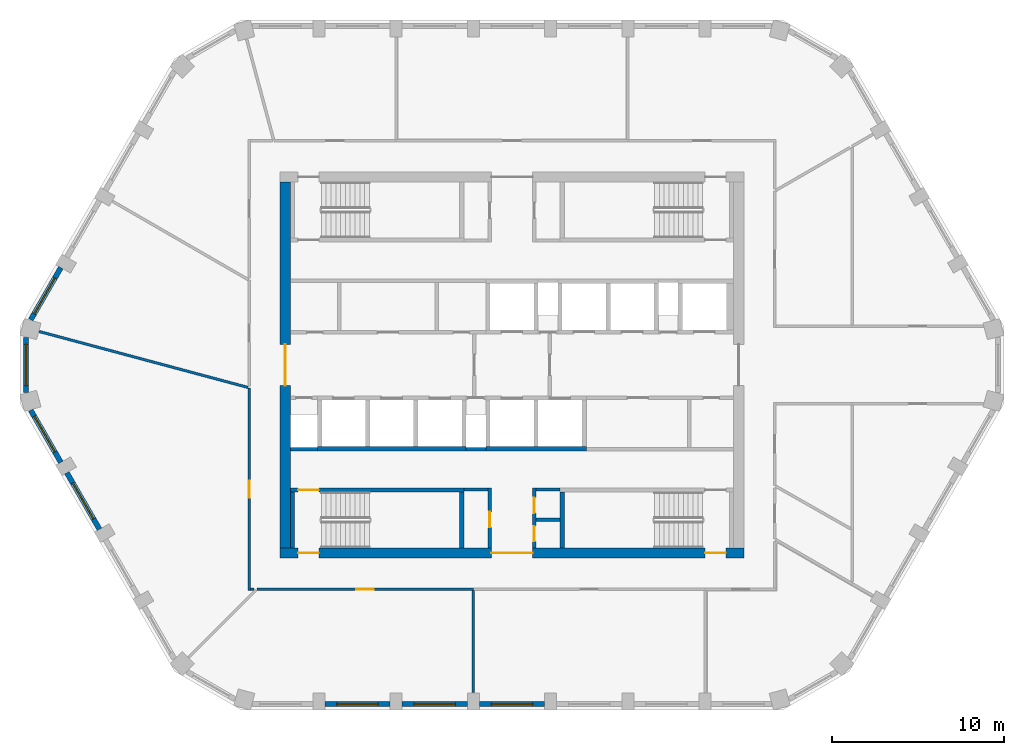
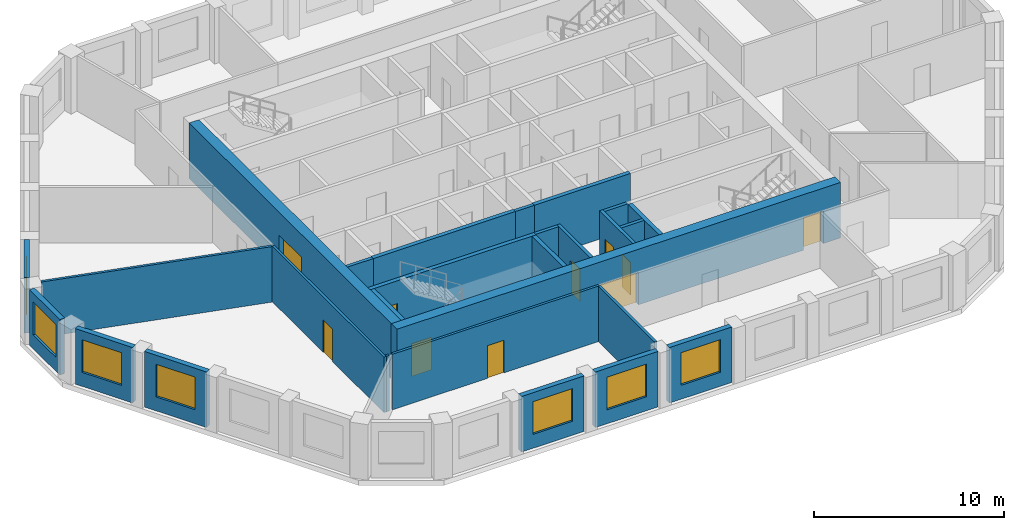
# One storey, part 2 of 10: 27 walls, 10 doors, 7 windows, 17 openings.
"""IFC4 building model written with IfcOpenShell, lengths in metres."""

from ifc_helpers import new_model, si_unit, direction, frame, frame_2d, origin, place, context, subcontext, project, spatial, polyline, rectangle, outline, extrude, material, layer, layer_set, type_object, element, fill, save


model = new_model("IFC4")

# Units and contexts
model_context = context("Model", 3, precision=1e-05, world=origin(), true_north=direction((0.0, 1.0)))
body_context = subcontext(model_context, "Body", "Model", "MODEL_VIEW")
ifc_project = project(units=[si_unit("LENGTHUNIT", "METRE"), si_unit("AREAUNIT", "SQUARE_METRE"), si_unit("VOLUMEUNIT", "CUBIC_METRE"), si_unit("PLANEANGLEUNIT", "RADIAN"), si_unit("MASSUNIT", "GRAM", prefix="KILO")], contexts=[model_context])

# Site, building, storey
site_placement = place(None, origin())
site = spatial("IfcSite", under=ifc_project, at=site_placement, CompositionType="ELEMENT")
building_placement = place(site_placement, origin())
building = spatial("IfcBuilding", under=site, at=building_placement, Name="Dhurran Vertical Campus", CompositionType="ELEMENT")
storey_placement = place(building_placement, frame((0.0, 0.0, 250.800048828125)))
storey = spatial("IfcBuildingStorey", under=building, at=storey_placement, Name="L62", CompositionType="ELEMENT", Elevation=250.800048828125)

# Wall, opening, window
ifc_material_1 = material(Name="Precast concrete C50/60", Category="concrete")
ifc_layer_1 = layer(ifc_material_1, 0.300048828125)
ifc_layer_set_1 = layer_set([ifc_layer_1], Name="Precast concrete C50/60")
wall_type_1 = type_object("IfcWallType", Name="Precast spandrel wall 300", PredefinedType="SOLIDWALL", material=ifc_layer_set_1)
wall_1_placement = place(storey_placement, frame((-10.8994140625, -19.738525390625, 0.0), z_axis=(0.0, 0.0, 1.0), x_axis=(1.0, 0.0, 0.0)))
wall_1 = element("IfcWall", 1, at=wall_1_placement, inside=storey, type_object=wall_type_1, Name="EW1 L62.01", PredefinedType="SOLIDWALL", context=body_context, shape_type="SweptSolid", body=[
    extrude(rectangle(XDim=3.798828125, YDim=0.300048828125, at=frame_2d((1.8994140625, 0.0))), origin(), (0.0, 0.0, 1.0), 3.574951171875),
])
opening_1_placement = place(wall_1_placement, frame((0.699462890625, 0.0, 0.89990234375)))
opening_1 = element("IfcOpeningElement", 2, at=opening_1_placement, cuts=wall_1, Name="Opening WT1", PredefinedType="OPENING", context=body_context, shape_type="SweptSolid", body=[
    extrude(rectangle(XDim=2.39990234375, YDim=2.10009765625, at=frame_2d((1.199951171875, 1.050048828125))), frame((0.0, 0.159912109375, 0.0), z_axis=(0.0, -1.0, 0.0), x_axis=(1.0, 0.0, 0.0)), (0.0, 0.0, 1.0), 0.320068359375),
])
ifc_material_2 = material(Name="Aluminium frame with solar-control glass", Category="aluminium")
window_type = type_object("IfcWindowType", Name="Punched window 2400 x 2100", PartitioningType="SINGLE_PANEL", PredefinedType="WINDOW", material=ifc_material_2)
window_1_placement = place(opening_1_placement, origin())
window_1 = element("IfcWindow", 3, at=window_1_placement, inside=storey, type_object=window_type, Name="WT1 L62.01", OverallHeight=2.10009765625, OverallWidth=2.39990234375, PartitioningType="SINGLE_PANEL", PredefinedType="WINDOW", context=body_context, shape_type="SweptSolid", body=[
    extrude(rectangle(XDim=2.39990234375, YDim=2.10009765625, at=frame_2d((1.199951171875, 1.050048828125))), frame((0.0, 0.030029296875, 0.0), z_axis=(0.0, -1.0, 0.0), x_axis=(1.0, 0.0, 0.0)), (0.0, 0.0, 1.0), 0.06005859375),
])
fill(opening_1, window_1)

wall_2_placement = place(storey_placement, frame((-6.3994140625, -19.738525390625, 0.0), z_axis=(0.0, 0.0, 1.0), x_axis=(1.0, 0.0, 0.0)))
wall_2 = element("IfcWall", 4, at=wall_2_placement, inside=storey, type_object=wall_type_1, Name="EW1 L62.02", PredefinedType="SOLIDWALL", context=body_context, shape_type="SweptSolid", body=[
    extrude(rectangle(XDim=3.798828125, YDim=0.300048828125, at=frame_2d((1.8994140625, 0.0))), origin(), (0.0, 0.0, 1.0), 3.574951171875),
])
opening_2_placement = place(wall_2_placement, frame((0.699462890625, 0.0, 0.89990234375)))
opening_2 = element("IfcOpeningElement", 5, at=opening_2_placement, cuts=wall_2, Name="Opening WT1", PredefinedType="OPENING", context=body_context, shape_type="SweptSolid", body=[
    extrude(rectangle(XDim=2.39990234375, YDim=2.10009765625, at=frame_2d((1.199951171875, 1.050048828125))), frame((0.0, 0.159912109375, 0.0), z_axis=(0.0, -1.0, 0.0), x_axis=(1.0, 0.0, 0.0)), (0.0, 0.0, 1.0), 0.320068359375),
])
window_2_placement = place(opening_2_placement, origin())
window_2 = element("IfcWindow", 6, at=window_2_placement, inside=storey, type_object=window_type, Name="WT1 L62.02", OverallHeight=2.10009765625, OverallWidth=2.39990234375, PartitioningType="SINGLE_PANEL", PredefinedType="WINDOW", context=body_context, shape_type="SweptSolid", body=[
    extrude(rectangle(XDim=2.39990234375, YDim=2.10009765625, at=frame_2d((1.199951171875, 1.050048828125))), frame((0.0, 0.030029296875, 0.0), z_axis=(0.0, -1.0, 0.0), x_axis=(1.0, 0.0, 0.0)), (0.0, 0.0, 1.0), 0.06005859375),
])
fill(opening_2, window_2)

wall_3_placement = place(storey_placement, frame((-1.8994140625, -19.738525390625, 0.0), z_axis=(0.0, 0.0, 1.0), x_axis=(1.0, 0.0, 0.0)))
wall_3 = element("IfcWall", 7, at=wall_3_placement, inside=storey, type_object=wall_type_1, Name="EW1 L62.03", PredefinedType="SOLIDWALL", context=body_context, shape_type="SweptSolid", body=[
    extrude(rectangle(XDim=3.798828125, YDim=0.300048828125, at=frame_2d((1.8994140625, 0.0))), origin(), (0.0, 0.0, 1.0), 3.574951171875),
])
opening_3_placement = place(wall_3_placement, frame((0.699462890625, 0.0, 0.89990234375)))
opening_3 = element("IfcOpeningElement", 8, at=opening_3_placement, cuts=wall_3, Name="Opening WT1", PredefinedType="OPENING", context=body_context, shape_type="SweptSolid", body=[
    extrude(rectangle(XDim=2.39990234375, YDim=2.10009765625, at=frame_2d((1.199951171875, 1.050048828125))), frame((0.0, 0.159912109375, 0.0), z_axis=(0.0, -1.0, 0.0), x_axis=(1.0, 0.0, 0.0)), (0.0, 0.0, 1.0), 0.320068359375),
])
window_3_placement = place(opening_3_placement, origin())
window_3 = element("IfcWindow", 9, at=window_3_placement, inside=storey, type_object=window_type, Name="WT1 L62.03", OverallHeight=2.10009765625, OverallWidth=2.39990234375, PartitioningType="SINGLE_PANEL", PredefinedType="WINDOW", context=body_context, shape_type="SweptSolid", body=[
    extrude(rectangle(XDim=2.39990234375, YDim=2.10009765625, at=frame_2d((1.199951171875, 1.050048828125))), frame((0.0, 0.030029296875, 0.0), z_axis=(0.0, -1.0, 0.0), x_axis=(1.0, 0.0, 0.0)), (0.0, 0.0, 1.0), 0.06005859375),
])
fill(opening_3, window_3)

wall_4_placement = place(storey_placement, frame((-26.269287109375, 5.668701171875, 0.0), z_axis=(0.0, 0.0, 1.0), x_axis=(-0.499990325971, -0.866030989016, 0.0)))
wall_4 = element("IfcWall", 10, at=wall_4_placement, inside=storey, type_object=wall_type_1, Name="EW1 L62.29", PredefinedType="SOLIDWALL", context=body_context, shape_type="SweptSolid", body=[
    extrude(rectangle(XDim=3.49755859375, YDim=0.300048828125, at=frame_2d((1.748779296875, 0.0))), origin(), (0.0, 0.0, 1.0), 3.574951171875),
])
opening_4_placement = place(wall_4_placement, frame((0.699462890625, 0.0, 0.89990234375)))
opening_4 = element("IfcOpeningElement", 11, at=opening_4_placement, cuts=wall_4, Name="Opening WT1", PredefinedType="OPENING", context=body_context, shape_type="SweptSolid", body=[
    extrude(rectangle(XDim=2.39990234375, YDim=2.10009765625, at=frame_2d((1.199951171875, 1.050048828125))), frame((0.0, 0.159912109375, 0.0), z_axis=(0.0, -1.0, 0.0), x_axis=(1.0, 0.0, 0.0)), (0.0, 0.0, 1.0), 0.320068359375),
])
window_4_placement = place(opening_4_placement, origin())
window_4 = element("IfcWindow", 12, at=window_4_placement, inside=storey, type_object=window_type, Name="WT1 L62.29", OverallHeight=2.10009765625, OverallWidth=2.39990234375, PartitioningType="SINGLE_PANEL", PredefinedType="WINDOW", context=body_context, shape_type="SweptSolid", body=[
    extrude(rectangle(XDim=2.39990234375, YDim=2.10009765625, at=frame_2d((1.199951171875, 1.050048828125))), frame((0.0, 0.030029296875, 0.0), z_axis=(0.0, -1.0, 0.0), x_axis=(1.0, 0.0, 0.0)), (0.0, 0.0, 1.0), 0.06005859375),
])
fill(opening_4, window_4)

wall_5_placement = place(storey_placement, frame((-28.297119140625, 1.59814453125, 0.0), z_axis=(0.0, 0.0, 1.0), x_axis=(0.0, -1.0, 0.0)))
wall_5 = element("IfcWall", 13, at=wall_5_placement, inside=storey, type_object=wall_type_1, Name="EW1 L62.30", PredefinedType="SOLIDWALL", context=body_context, shape_type="SweptSolid", body=[
    extrude(rectangle(XDim=3.1962890625, YDim=0.300048828125, at=frame_2d((1.59814453125, 0.0))), origin(), (0.0, 0.0, 1.0), 3.574951171875),
])
opening_5_placement = place(wall_5_placement, frame((0.398193359375, 0.0, 0.89990234375)))
opening_5 = element("IfcOpeningElement", 14, at=opening_5_placement, cuts=wall_5, Name="Opening WT1", PredefinedType="OPENING", context=body_context, shape_type="SweptSolid", body=[
    extrude(rectangle(XDim=2.39990234375, YDim=2.10009765625, at=frame_2d((1.199951171875, 1.050048828125))), frame((0.0, 0.159912109375, 0.0), z_axis=(0.0, -1.0, 0.0), x_axis=(1.0, 0.0, 0.0)), (0.0, 0.0, 1.0), 0.320068359375),
])
window_5_placement = place(opening_5_placement, origin())
window_5 = element("IfcWindow", 15, at=window_5_placement, inside=storey, type_object=window_type, Name="WT1 L62.30", OverallHeight=2.10009765625, OverallWidth=2.39990234375, PartitioningType="SINGLE_PANEL", PredefinedType="WINDOW", context=body_context, shape_type="SweptSolid", body=[
    extrude(rectangle(XDim=2.39990234375, YDim=2.10009765625, at=frame_2d((1.199951171875, 1.050048828125))), frame((0.0, 0.030029296875, 0.0), z_axis=(0.0, -1.0, 0.0), x_axis=(1.0, 0.0, 0.0)), (0.0, 0.0, 1.0), 0.06005859375),
])
fill(opening_5, window_5)

wall_6_placement = place(storey_placement, frame((-28.01806640625, -2.6396484375, 0.0), z_axis=(0.0, 0.0, 1.0), x_axis=(0.499990325971, -0.866030989016, 0.0)))
wall_6 = element("IfcWall", 16, at=wall_6_placement, inside=storey, type_object=wall_type_1, Name="EW1 L62.31", PredefinedType="SOLIDWALL", context=body_context, shape_type="SweptSolid", body=[
    extrude(rectangle(XDim=3.49755859375, YDim=0.300048828125, at=frame_2d((1.748779296875, 0.0))), origin(), (0.0, 0.0, 1.0), 3.574951171875),
])
opening_6_placement = place(wall_6_placement, frame((0.398193359375, 0.0, 0.89990234375)))
opening_6 = element("IfcOpeningElement", 17, at=opening_6_placement, cuts=wall_6, Name="Opening WT1", PredefinedType="OPENING", context=body_context, shape_type="SweptSolid", body=[
    extrude(rectangle(XDim=2.39990234375, YDim=2.10009765625, at=frame_2d((1.199951171875, 1.050048828125))), frame((0.0, 0.159912109375, 0.0), z_axis=(0.0, -1.0, 0.0), x_axis=(1.0, 0.0, 0.0)), (0.0, 0.0, 1.0), 0.320068359375),
])
window_6_placement = place(opening_6_placement, origin())
window_6 = element("IfcWindow", 18, at=window_6_placement, inside=storey, type_object=window_type, Name="WT1 L62.31", OverallHeight=2.10009765625, OverallWidth=2.39990234375, PartitioningType="SINGLE_PANEL", PredefinedType="WINDOW", context=body_context, shape_type="SweptSolid", body=[
    extrude(rectangle(XDim=2.39990234375, YDim=2.10009765625, at=frame_2d((1.199951171875, 1.050048828125))), frame((0.0, 0.030029296875, 0.0), z_axis=(0.0, -1.0, 0.0), x_axis=(1.0, 0.0, 0.0)), (0.0, 0.0, 1.0), 0.06005859375),
])
fill(opening_6, window_6)

wall_7_placement = place(storey_placement, frame((-25.918701171875, -6.275634765625, 0.0), z_axis=(0.0, 0.0, 1.0), x_axis=(0.499982058975, -0.866035761792, 0.0)))
wall_7 = element("IfcWall", 19, at=wall_7_placement, inside=storey, type_object=wall_type_1, Name="EW1 L62.32", PredefinedType="SOLIDWALL", context=body_context, shape_type="SweptSolid", body=[
    extrude(rectangle(XDim=3.799072265625, YDim=0.300048828125, at=frame_2d((1.8994140625, 0.0))), origin(), (0.0, 0.0, 1.0), 3.574951171875),
])
opening_7_placement = place(wall_7_placement, frame((0.699462890625, 0.0, 0.89990234375)))
opening_7 = element("IfcOpeningElement", 20, at=opening_7_placement, cuts=wall_7, Name="Opening WT1", PredefinedType="OPENING", context=body_context, shape_type="SweptSolid", body=[
    extrude(rectangle(XDim=2.39990234375, YDim=2.10009765625, at=frame_2d((1.199951171875, 1.050048828125))), frame((0.0, 0.159912109375, 0.0), z_axis=(0.0, -1.0, 0.0), x_axis=(1.0, 0.0, 0.0)), (0.0, 0.0, 1.0), 0.320068359375),
])
window_7_placement = place(opening_7_placement, origin())
window_7 = element("IfcWindow", 21, at=window_7_placement, inside=storey, type_object=window_type, Name="WT1 L62.32", OverallHeight=2.10009765625, OverallWidth=2.39990234375, PartitioningType="SINGLE_PANEL", PredefinedType="WINDOW", context=body_context, shape_type="SweptSolid", body=[
    extrude(rectangle(XDim=2.39990234375, YDim=2.10009765625, at=frame_2d((1.199951171875, 1.050048828125))), frame((0.0, 0.030029296875, 0.0), z_axis=(0.0, -1.0, 0.0), x_axis=(1.0, 0.0, 0.0)), (0.0, 0.0, 1.0), 0.06005859375),
])
fill(opening_7, window_7)

# Wall, openings, doors
ifc_material_3 = material(Name="Concrete C50/60", Category="concrete")
ifc_layer_2 = layer(ifc_material_3, 0.60009765625)
ifc_layer_set_2 = layer_set([ifc_layer_2], Name="Concrete C50/60")
wall_type_2 = type_object("IfcWallType", Name="co-CORE-WALL-C2-600", PredefinedType="SHEAR", material=ifc_layer_set_2)
wall_8_placement = place(storey_placement, frame((-13.5, -10.949951171875, 0.0), z_axis=(0.0, 0.0, 1.0), x_axis=(1.0, 0.0, 0.0)))
wall_8 = element("IfcWall", 22, at=wall_8_placement, inside=storey, type_object=wall_type_2, Name="Core wall S L62", PredefinedType="SHEAR", context=body_context, shape_type="SweptSolid", body=[
    extrude(rectangle(XDim=27.0, YDim=0.60009765625, at=frame_2d((13.5, 0.0))), origin(), (0.0, 0.0, 1.0), 3.574951171875),
])
opening_8_placement = place(wall_8_placement, frame((12.300048828125, 0.0, 0.0)))
opening_8 = element("IfcOpeningElement", 23, at=opening_8_placement, cuts=wall_8, Name="Opening CV2", PredefinedType="OPENING", context=body_context, shape_type="SweptSolid", body=[
    extrude(rectangle(XDim=2.39990234375, YDim=2.10009765625, at=frame_2d((1.199951171875, 1.050048828125))), frame((0.0, 0.31005859375, 0.0), z_axis=(0.0, -1.0, 0.0), x_axis=(1.0, 0.0, 0.0)), (0.0, 0.0, 1.0), 0.6201171875),
])
opening_9_placement = place(wall_8_placement, frame((1.050048828125, 0.0, 0.0)))
opening_9 = element("IfcOpeningElement", 24, at=opening_9_placement, cuts=wall_8, Name="Opening XD3", PredefinedType="OPENING", context=body_context, shape_type="SweptSolid", body=[
    extrude(rectangle(XDim=1.199951171875, YDim=2.10009765625, at=frame_2d((0.60009765625, 1.050048828125))), frame((0.0, 0.31005859375, 0.0), z_axis=(0.0, -1.0, 0.0), x_axis=(1.0, 0.0, 0.0)), (0.0, 0.0, 1.0), 0.6201171875),
])
opening_10_placement = place(wall_8_placement, frame((24.75, 0.0, 0.0)))
opening_10 = element("IfcOpeningElement", 25, at=opening_10_placement, cuts=wall_8, Name="Opening XD4", PredefinedType="OPENING", context=body_context, shape_type="SweptSolid", body=[
    extrude(rectangle(XDim=1.199951171875, YDim=2.10009765625, at=frame_2d((0.60009765625, 1.050048828125))), frame((0.0, 0.31005859375, 0.0), z_axis=(0.0, -1.0, 0.0), x_axis=(1.0, 0.0, 0.0)), (0.0, 0.0, 1.0), 0.6201171875),
])
ifc_material_4 = material(Name="Fire-rated glazed door set")
door_type_1 = type_object("IfcDoorType", Name="co-D-LOBBY 2400x2100", OperationType="DOUBLE_DOOR_DOUBLE_SWING", PredefinedType="DOOR", material=ifc_material_4)
door_1_placement = place(opening_8_placement, origin())
door_1 = element("IfcDoor", 26, at=door_1_placement, inside=storey, type_object=door_type_1, Name="Core vestibule door S L62", OperationType="DOUBLE_DOOR_DOUBLE_SWING", OverallHeight=2.10009765625, OverallWidth=2.39990234375, PredefinedType="DOOR", context=body_context, shape_type="SweptSolid", body=[
    extrude(rectangle(XDim=2.39990234375, YDim=2.10009765625, at=frame_2d((1.199951171875, 1.050048828125))), frame((0.0, 0.02490234375, 0.0), z_axis=(0.0, -1.0, 0.0), x_axis=(1.0, 0.0, 0.0)), (0.0, 0.0, 1.0), 0.050048828125),
])
fill(opening_8, door_1)
ifc_material_5 = material(Name="Fire-rated steel door set", Category="steel")
door_type_2 = type_object("IfcDoorType", Name="co-D-STAIR-EXIT 1200x2100", OperationType="SINGLE_SWING_RIGHT", PredefinedType="DOOR", material=ifc_material_5)
door_2_placement = place(opening_9_placement, origin())
door_2 = element("IfcDoor", 27, at=door_2_placement, inside=storey, type_object=door_type_2, Name="Stair ST3 exit door L62", OperationType="SINGLE_SWING_RIGHT", OverallHeight=2.10009765625, OverallWidth=1.199951171875, PredefinedType="DOOR", context=body_context, shape_type="SweptSolid", body=[
    extrude(rectangle(XDim=1.199951171875, YDim=2.10009765625, at=frame_2d((0.60009765625, 1.050048828125))), frame((0.0, 0.02490234375, 0.0), z_axis=(0.0, -1.0, 0.0), x_axis=(1.0, 0.0, 0.0)), (0.0, 0.0, 1.0), 0.050048828125),
])
fill(opening_9, door_2)
door_3_placement = place(opening_10_placement, origin())
door_3 = element("IfcDoor", 28, at=door_3_placement, inside=storey, type_object=door_type_2, Name="Stair ST4 exit door L62", OperationType="SINGLE_SWING_RIGHT", OverallHeight=2.10009765625, OverallWidth=1.199951171875, PredefinedType="DOOR", context=body_context, shape_type="SweptSolid", body=[
    extrude(rectangle(XDim=1.199951171875, YDim=2.10009765625, at=frame_2d((0.60009765625, 1.050048828125))), frame((0.0, 0.02490234375, 0.0), z_axis=(0.0, -1.0, 0.0), x_axis=(1.0, 0.0, 0.0)), (0.0, 0.0, 1.0), 0.050048828125),
])
fill(opening_10, door_3)

# Wall, opening, door
wall_9_placement = place(storey_placement, frame((-13.199951171875, -10.64990234375, 0.0), z_axis=(0.0, 0.0, 1.0), x_axis=(0.0, 1.0, 0.0)))
wall_9 = element("IfcWall", 29, at=wall_9_placement, inside=storey, type_object=wall_type_2, Name="Core wall W L62", PredefinedType="SHEAR", context=body_context, shape_type="SweptSolid", body=[
    extrude(rectangle(XDim=21.2998046875, YDim=0.60009765625, at=frame_2d((10.64990234375, 0.0))), origin(), (0.0, 0.0, 1.0), 3.574951171875),
])
opening_11_placement = place(wall_9_placement, frame((9.449951171875, 0.0, 0.0)))
opening_11 = element("IfcOpeningElement", 30, at=opening_11_placement, cuts=wall_9, Name="Opening CL1", PredefinedType="OPENING", context=body_context, shape_type="SweptSolid", body=[
    extrude(rectangle(XDim=2.39990234375, YDim=2.10009765625, at=frame_2d((1.199951171875, 1.050048828125))), frame((0.0, 0.31005859375, 0.0), z_axis=(0.0, -1.0, 0.0), x_axis=(1.0, 0.0, 0.0)), (0.0, 0.0, 1.0), 0.6201171875),
])
door_4_placement = place(opening_11_placement, origin())
door_4 = element("IfcDoor", 31, at=door_4_placement, inside=storey, type_object=door_type_1, Name="Lift lobby door W L62", OperationType="DOUBLE_DOOR_DOUBLE_SWING", OverallHeight=2.10009765625, OverallWidth=2.39990234375, PredefinedType="DOOR", context=body_context, shape_type="SweptSolid", body=[
    extrude(rectangle(XDim=2.39990234375, YDim=2.10009765625, at=frame_2d((1.199951171875, 1.050048828125))), frame((0.0, 0.02490234375, 0.0), z_axis=(0.0, -1.0, 0.0), x_axis=(1.0, 0.0, 0.0)), (0.0, 0.0, 1.0), 0.050048828125),
])
fill(opening_11, door_4)

# Walls
ifc_material_6 = material(Name="Fire-rated masonry blockwork", Category="masonry")
ifc_layer_3 = layer(ifc_material_6, 0.199951171875)
ifc_layer_set_3 = layer_set([ifc_layer_3], Name="Fire-rated masonry blockwork")
wall_type_3 = type_object("IfcWallType", Name="co-FIRE-PARTITION-200", PredefinedType="PARTITIONING", material=ifc_layer_set_3)
for number, where, z_axis, x_axis, name in (
    (32, (-2.800048828125, -7.25, 0.0), (0.0, 0.0, 1.0), (1.0, 0.0, 0.0), "Core partition sl-SW-S L62"),
    (33, (1.39990234375, -7.25, 0.0), (0.0, 0.0, 1.0), (1.0, 0.0, 0.0), "Core partition sl-SE-S L62"),
    (34, (1.39990234375, -9.0, 0.0), (0.0, 0.0, 1.0), (1.0, 0.0, 0.0), "Core partition sl-SE-cut0 L62"),
):
    element("IfcWall", number, at=place(storey_placement, frame(where, z_axis=z_axis, x_axis=x_axis)), inside=storey, type_object=wall_type_3, Name=name, PredefinedType="PARTITIONING", context=body_context, shape_type="SweptSolid", body=[
        extrude(rectangle(XDim=1.400146484375, YDim=0.199951171875, at=frame_2d((0.7001953125, 0.0))), origin(), (0.0, 0.0, 1.0), 3.574951171875),
    ])

# Wall, opening, door
wall_10_placement = place(storey_placement, frame((-1.300048828125, -10.64990234375, 0.0), z_axis=(0.0, 0.0, 1.0), x_axis=(0.0, 1.0, 0.0)))
wall_10 = element("IfcWall", 35, at=wall_10_placement, inside=storey, type_object=wall_type_3, Name="Core partition vest-SW L62", PredefinedType="PARTITIONING", context=body_context, shape_type="SweptSolid", body=[
    extrude(rectangle(XDim=3.5, YDim=0.199951171875, at=frame_2d((1.75, 0.0))), origin(), (0.0, 0.0, 1.0), 3.574951171875),
])
opening_12_placement = place(wall_10_placement, frame((1.199951171875, 0.0, 0.0)))
opening_12 = element("IfcOpeningElement", 36, at=opening_12_placement, cuts=wall_10, Name="Opening T18-C1", PredefinedType="OPENING", context=body_context, shape_type="SweptSolid", body=[
    extrude(rectangle(XDim=0.89990234375, YDim=2.10009765625, at=frame_2d((0.449951171875, 1.050048828125))), frame((0.0, 0.10986328125, 0.0), z_axis=(0.0, -1.0, 0.0), x_axis=(1.0, 0.0, 0.0)), (0.0, 0.0, 1.0), 0.219970703125),
])
ifc_material_7 = material(Name="Fire-rated timber door set", Category="wood")
door_type_3 = type_object("IfcDoorType", Name="co-D-ROOM 900x2100", OperationType="SINGLE_SWING_LEFT", PredefinedType="DOOR", material=ifc_material_7)
door_5_placement = place(opening_12_placement, origin())
door_5 = element("IfcDoor", 37, at=door_5_placement, inside=storey, type_object=door_type_3, Name="Fire equipment store door L62", OperationType="SINGLE_SWING_LEFT", OverallHeight=2.10009765625, OverallWidth=0.89990234375, PredefinedType="DOOR", context=body_context, shape_type="SweptSolid", body=[
    extrude(rectangle(XDim=0.89990234375, YDim=2.10009765625, at=frame_2d((0.449951171875, 1.050048828125))), frame((0.0, 0.02490234375, 0.0), z_axis=(0.0, -1.0, 0.0), x_axis=(1.0, 0.0, 0.0)), (0.0, 0.0, 1.0), 0.050048828125),
])
fill(opening_12, door_5)

# Wall, openings, doors
wall_11_placement = place(storey_placement, frame((1.300048828125, -10.64990234375, 0.0), z_axis=(0.0, 0.0, 1.0), x_axis=(0.0, 1.0, 0.0)))
wall_11 = element("IfcWall", 38, at=wall_11_placement, inside=storey, type_object=wall_type_3, Name="Core partition vest-SE L62", PredefinedType="PARTITIONING", context=body_context, shape_type="SweptSolid", body=[
    extrude(rectangle(XDim=3.5, YDim=0.199951171875, at=frame_2d((1.75, 0.0))), origin(), (0.0, 0.0, 1.0), 3.574951171875),
])
opening_13_placement = place(wall_11_placement, frame((0.375, 0.0, 0.0)))
opening_13 = element("IfcOpeningElement", 39, at=opening_13_placement, cuts=wall_11, Name="Opening T18-C2", PredefinedType="OPENING", context=body_context, shape_type="SweptSolid", body=[
    extrude(rectangle(XDim=0.89990234375, YDim=2.10009765625, at=frame_2d((0.449951171875, 1.050048828125))), frame((0.0, 0.10986328125, 0.0), z_axis=(0.0, -1.0, 0.0), x_axis=(1.0, 0.0, 0.0)), (0.0, 0.0, 1.0), 0.219970703125),
])
opening_14_placement = place(wall_11_placement, frame((2.02490234375, 0.0, 0.0)))
opening_14 = element("IfcOpeningElement", 40, at=opening_14_placement, cuts=wall_11, Name="Opening T18-C3", PredefinedType="OPENING", context=body_context, shape_type="SweptSolid", body=[
    extrude(rectangle(XDim=0.89990234375, YDim=2.10009765625, at=frame_2d((0.449951171875, 1.050048828125))), frame((0.0, 0.10986328125, 0.0), z_axis=(0.0, -1.0, 0.0), x_axis=(1.0, 0.0, 0.0)), (0.0, 0.0, 1.0), 0.219970703125),
])
door_6_placement = place(opening_13_placement, origin())
door_6 = element("IfcDoor", 41, at=door_6_placement, inside=storey, type_object=door_type_3, Name="Waste room door L62", OperationType="SINGLE_SWING_LEFT", OverallHeight=2.10009765625, OverallWidth=0.89990234375, PredefinedType="DOOR", context=body_context, shape_type="SweptSolid", body=[
    extrude(rectangle(XDim=0.89990234375, YDim=2.10009765625, at=frame_2d((0.449951171875, 1.050048828125))), frame((0.0, 0.02490234375, 0.0), z_axis=(0.0, -1.0, 0.0), x_axis=(1.0, 0.0, 0.0)), (0.0, 0.0, 1.0), 0.050048828125),
])
fill(opening_13, door_6)
door_7_placement = place(opening_14_placement, origin())
door_7 = element("IfcDoor", 42, at=door_7_placement, inside=storey, type_object=door_type_3, Name="Store door L62", OperationType="SINGLE_SWING_LEFT", OverallHeight=2.10009765625, OverallWidth=0.89990234375, PredefinedType="DOOR", context=body_context, shape_type="SweptSolid", body=[
    extrude(rectangle(XDim=0.89990234375, YDim=2.10009765625, at=frame_2d((0.449951171875, 1.050048828125))), frame((0.0, 0.02490234375, 0.0), z_axis=(0.0, -1.0, 0.0), x_axis=(1.0, 0.0, 0.0)), (0.0, 0.0, 1.0), 0.050048828125),
])
fill(opening_14, door_7)

# Walls
wall_12_placement = place(storey_placement, frame((-12.89990234375, -4.89990234375, 0.0), z_axis=(0.0, 0.0, 1.0), x_axis=(1.0, 0.0, 0.0)))
element("IfcWall", 43, at=wall_12_placement, inside=storey, type_object=wall_type_3, Name="Core partition fr-S0-b L62", PredefinedType="PARTITIONING", context=body_context, shape_type="SweptSolid", body=[
    extrude(rectangle(XDim=1.574951171875, YDim=0.199951171875, at=frame_2d((0.78759765625, 0.0))), origin(), (0.0, 0.0, 1.0), 3.574951171875),
])
wall_13_placement = place(storey_placement, frame((-2.675048828125, -4.89990234375, 0.0), z_axis=(0.0, 0.0, 1.0), x_axis=(1.0, 0.0, 0.0)))
element("IfcWall", 44, at=wall_13_placement, inside=storey, type_object=wall_type_3, Name="Core partition fr-S1-b L62", PredefinedType="PARTITIONING", context=body_context, shape_type="SweptSolid", body=[
    extrude(rectangle(XDim=1.150146484375, YDim=0.199951171875, at=frame_2d((0.5751953125, 0.0))), origin(), (0.0, 0.0, 1.0), 3.574951171875),
])
ifc_material_8 = material(Name="Concrete C50/60", Category="concrete")
ifc_layer_4 = layer(ifc_material_8, 0.25)
ifc_layer_set_4 = layer_set([ifc_layer_4], Name="Concrete C50/60")
wall_type_4 = type_object("IfcWallType", Name="co-SHAFT-MASS-250", PredefinedType="SHEAR", material=ifc_layer_set_4)
wall_14_placement = place(storey_placement, origin())
element("IfcWall", 45, at=wall_14_placement, inside=storey, type_object=wall_type_4, Name="Lift shaft wall S L62 1", PredefinedType="SHEAR", context=body_context, shape_type="SweptSolid", body=[
    extrude(outline(polyline([(-11.324951171875, -5.0), (-2.675048828125, -5.0), (-2.675048828125, -4.75), (-11.324951171875, -4.75), (-11.324951171875, -5.0)])), origin(), (0.0, 0.0, 1.0), 3.574951171875),
])
wall_15_placement = place(storey_placement, origin())
element("IfcWall", 46, at=wall_15_placement, inside=storey, type_object=wall_type_4, Name="Lift shaft wall S L62 2", PredefinedType="SHEAR", context=body_context, shape_type="SweptSolid", body=[
    extrude(outline(polyline([(-1.52490234375, -5.0), (4.324951171875, -5.0), (4.324951171875, -4.75), (-1.52490234375, -4.75), (-1.52490234375, -5.0)])), origin(), (0.0, 0.0, 1.0), 3.574951171875),
])

# Wall, opening, door
ifc_material_9 = material(Name="Concrete C40/50", Category="concrete")
ifc_layer_5 = layer(ifc_material_9, 0.25)
ifc_layer_set_5 = layer_set([ifc_layer_5], Name="Concrete C40/50")
wall_type_5 = type_object("IfcWallType", Name="co-STAIR-WALL-250", PredefinedType="SHEAR", material=ifc_layer_set_5)
wall_16_placement = place(storey_placement, frame((-12.89990234375, -7.27490234375, 0.0), z_axis=(0.0, 0.0, 1.0), x_axis=(1.0, 0.0, 0.0)))
wall_16 = element("IfcWall", 47, at=wall_16_placement, inside=storey, type_object=wall_type_5, Name="Stair ST3 enclosure wall L62", PredefinedType="SHEAR", context=body_context, shape_type="SweptSolid", body=[
    extrude(rectangle(XDim=10.099853515625, YDim=0.25, at=frame_2d((5.0498046875, 0.0))), origin(), (0.0, 0.0, 1.0), 3.574951171875),
])
opening_15_placement = place(wall_16_placement, frame((0.449951171875, 0.0, 0.0)))
opening_15 = element("IfcOpeningElement", 48, at=opening_15_placement, cuts=wall_16, Name="Opening SD3", PredefinedType="OPENING", context=body_context, shape_type="SweptSolid", body=[
    extrude(rectangle(XDim=1.199951171875, YDim=2.10009765625, at=frame_2d((0.60009765625, 1.050048828125))), frame((0.0, 0.135009765625, 0.0), z_axis=(0.0, -1.0, 0.0), x_axis=(1.0, 0.0, 0.0)), (0.0, 0.0, 1.0), 0.27001953125),
])
ifc_material_10 = material(Name="Fire-rated steel door set", Category="steel")
door_type_4 = type_object("IfcDoorType", Name="co-D-STAIR 1200x2100", OperationType="SINGLE_SWING_LEFT", PredefinedType="DOOR", material=ifc_material_10)
door_8_placement = place(opening_15_placement, origin())
door_8 = element("IfcDoor", 49, at=door_8_placement, inside=storey, type_object=door_type_4, Name="Stair ST3 door L62", OperationType="SINGLE_SWING_LEFT", OverallHeight=2.10009765625, OverallWidth=1.199951171875, PredefinedType="DOOR", context=body_context, shape_type="SweptSolid", body=[
    extrude(rectangle(XDim=1.199951171875, YDim=2.10009765625, at=frame_2d((0.60009765625, 1.050048828125))), frame((0.0, 0.02490234375, 0.0), z_axis=(0.0, -1.0, 0.0), x_axis=(1.0, 0.0, 0.0)), (0.0, 0.0, 1.0), 0.050048828125),
])
fill(opening_15, door_8)

# Walls
for number, where, z_axis, x_axis, name in (
    (50, (-12.77490234375, -10.64990234375, 0.0), (0.0, 0.0, 1.0), (0.0, 1.0, 0.0), "Stair ST3 enclosure wall L62"),
    (51, (-2.925048828125, -10.64990234375, 0.0), (0.0, 0.0, 1.0), (0.0, 1.0, 0.0), "Stair ST3 enclosure wall L62"),
    (52, (2.925048828125, -10.64990234375, 0.0), (0.0, 0.0, 1.0), (0.0, 1.0, 0.0), "Stair ST4 enclosure wall L62"),
):
    element("IfcWall", number, at=place(storey_placement, frame(where, z_axis=z_axis, x_axis=x_axis)), inside=storey, type_object=wall_type_5, Name=name, PredefinedType="SHEAR", context=body_context, shape_type="SweptSolid", body=[
        extrude(rectangle(XDim=3.25, YDim=0.25, at=frame_2d((1.625, 0.0))), origin(), (0.0, 0.0, 1.0), 3.574951171875),
    ])

# Wall, opening, door
ifc_material_11 = material(Name="Gypsum board corridor wall on steel studs", Category="steel")
ifc_layer_6 = layer(ifc_material_11, 0.14990234375)
ifc_layer_set_6 = layer_set([ifc_layer_6], Name="Gypsum board corridor wall on steel studs")
wall_type_6 = type_object("IfcWallType", Name="fl-CW-150 corridor wall", PredefinedType="PARTITIONING", material=ifc_layer_set_6)
wall_17_placement = place(storey_placement, frame((-15.300048828125, -1.325927734375, 0.0), z_axis=(0.0, 0.0, 1.0), x_axis=(0.0, -1.0, 0.0)))
wall_17 = element("IfcWall", 53, at=wall_17_placement, inside=storey, type_object=wall_type_6, Name="Partition 62-05", PredefinedType="PARTITIONING", context=body_context, shape_type="SweptSolid", body=[
    extrude(rectangle(XDim=11.799072265625, YDim=0.14990234375, at=frame_2d((5.8994140625, 0.0))), origin(), (0.0, 0.0, 1.0), 3.574951171875),
])
opening_16_placement = place(wall_17_placement, frame((5.3994140625, 0.0, 0.0)))
opening_16 = element("IfcOpeningElement", 54, at=opening_16_placement, cuts=wall_17, Name="Opening T18.02", PredefinedType="OPENING", context=body_context, shape_type="SweptSolid", body=[
    extrude(rectangle(XDim=1.0, YDim=2.10009765625, at=frame_2d((0.5, 1.050048828125))), frame((0.0, 0.0849609375, 0.0), z_axis=(0.0, -1.0, 0.0), x_axis=(1.0, 0.0, 0.0)), (0.0, 0.0, 1.0), 0.169921875),
])
ifc_material_12 = material(Name="Solid-core timber door set, fire-rated", Category="wood")
door_type_5 = type_object("IfcDoorType", Name="fl-D-1000x2100", OperationType="SINGLE_SWING_LEFT", PredefinedType="DOOR", material=ifc_material_12)
door_9_placement = place(opening_16_placement, origin())
door_9 = element("IfcDoor", 55, at=door_9_placement, inside=storey, type_object=door_type_5, Name="Door 62.02", OperationType="SINGLE_SWING_RIGHT", OverallHeight=2.10009765625, OverallWidth=1.0, PredefinedType="DOOR", context=body_context, shape_type="SweptSolid", body=[
    extrude(rectangle(XDim=1.0, YDim=2.10009765625, at=frame_2d((0.5, 1.050048828125))), frame((0.0, 0.02490234375, 0.0), z_axis=(0.0, -1.0, 0.0), x_axis=(1.0, 0.0, 0.0)), (0.0, 0.0, 1.0), 0.050048828125),
])
fill(opening_16, door_9)

# Wall
wall_18_placement = place(storey_placement, frame((-15.22509765625, -13.050048828125, 0.0), z_axis=(0.0, 0.0, 1.0), x_axis=(1.0, 0.0, 0.0)))
element("IfcWall", 56, at=wall_18_placement, inside=storey, type_object=wall_type_6, Name="Partition 62-06", PredefinedType="PARTITIONING", context=body_context, shape_type="SweptSolid", body=[
    extrude(rectangle(XDim=0.191162109375, YDim=0.14990234375, at=frame_2d((0.095703125, 0.0))), origin(), (0.0, 0.0, 1.0), 3.574951171875),
])

# Wall, opening, door
wall_19_placement = place(storey_placement, frame((-14.85888671875, -13.050048828125, 0.0), z_axis=(0.0, 0.0, 1.0), x_axis=(1.0, 0.0, 0.0)))
wall_19 = element("IfcWall", 57, at=wall_19_placement, inside=storey, type_object=wall_type_6, Name="Partition 62-10", PredefinedType="PARTITIONING", context=body_context, shape_type="SweptSolid", body=[
    extrude(rectangle(XDim=12.60888671875, YDim=0.14990234375, at=frame_2d((6.304443359375, 0.0))), origin(), (0.0, 0.0, 1.0), 3.574951171875),
])
opening_17_placement = place(wall_19_placement, frame((5.804443359375, 0.0, 0.0)))
opening_17 = element("IfcOpeningElement", 58, at=opening_17_placement, cuts=wall_19, Name="Opening T18.05", PredefinedType="OPENING", context=body_context, shape_type="SweptSolid", body=[
    extrude(rectangle(XDim=1.0, YDim=2.10009765625, at=frame_2d((0.5, 1.050048828125))), frame((0.0, 0.0849609375, 0.0), z_axis=(0.0, -1.0, 0.0), x_axis=(1.0, 0.0, 0.0)), (0.0, 0.0, 1.0), 0.169921875),
])
door_10_placement = place(opening_17_placement, origin())
door_10 = element("IfcDoor", 59, at=door_10_placement, inside=storey, type_object=door_type_5, Name="Door 62.05", OperationType="SINGLE_SWING_RIGHT", OverallHeight=2.10009765625, OverallWidth=1.0, PredefinedType="DOOR", context=body_context, shape_type="SweptSolid", body=[
    extrude(rectangle(XDim=1.0, YDim=2.10009765625, at=frame_2d((0.5, 1.050048828125))), frame((0.0, 0.02490234375, 0.0), z_axis=(0.0, -1.0, 0.0), x_axis=(1.0, 0.0, 0.0)), (0.0, 0.0, 1.0), 0.050048828125),
])
fill(opening_17, door_10)

# Walls
ifc_material_13 = material(Name="Folding acoustic partition panels")
ifc_layer_7 = layer(ifc_material_13, 0.14990234375)
ifc_layer_set_7 = layer_set([ifc_layer_7], Name="Folding acoustic partition panels")
wall_type_7 = type_object("IfcWallType", Name="fl-MW-150 movable partition", PredefinedType="MOVABLE", material=ifc_layer_set_7)
wall_20_placement = place(storey_placement, frame((-2.25, -13.125, 0.0), z_axis=(0.0, 0.0, 1.0), x_axis=(0.0, -1.0, 0.0)))
element("IfcWall", 60, at=wall_20_placement, inside=storey, type_object=wall_type_7, Name="Partition 62-14", PredefinedType="MOVABLE", context=body_context, shape_type="SweptSolid", body=[
    extrude(rectangle(XDim=5.943603515625, YDim=0.14990234375, at=frame_2d((2.9716796875, 0.0))), origin(), (0.0, 0.0, 1.0), 3.574951171875),
])
ifc_material_14 = material(Name="Gypsum board partition on steel studs", Category="steel")
ifc_layer_8 = layer(ifc_material_14, 0.14990234375)
ifc_layer_set_8 = layer_set([ifc_layer_8], Name="Gypsum board partition on steel studs")
wall_type_8 = type_object("IfcWallType", Name="fl-PW-150 fixed partition", PredefinedType="PARTITIONING", material=ifc_layer_set_8)
wall_21_placement = place(storey_placement, frame((-15.372314453125, -1.306640625, 0.0), z_axis=(0.0, 0.0, 1.0), x_axis=(-0.965924592024, 0.258823651398, 0.0)))
element("IfcWall", 61, at=wall_21_placement, inside=storey, type_object=wall_type_8, Name="Partition 62-01", PredefinedType="PARTITIONING", context=body_context, shape_type="SweptSolid", body=[
    extrude(rectangle(XDim=12.5888671875, YDim=0.14990234375, at=frame_2d((6.29443359375, 0.0))), origin(), (0.0, 0.0, 1.0), 3.574951171875),
])

save(model, "model.ifc")
